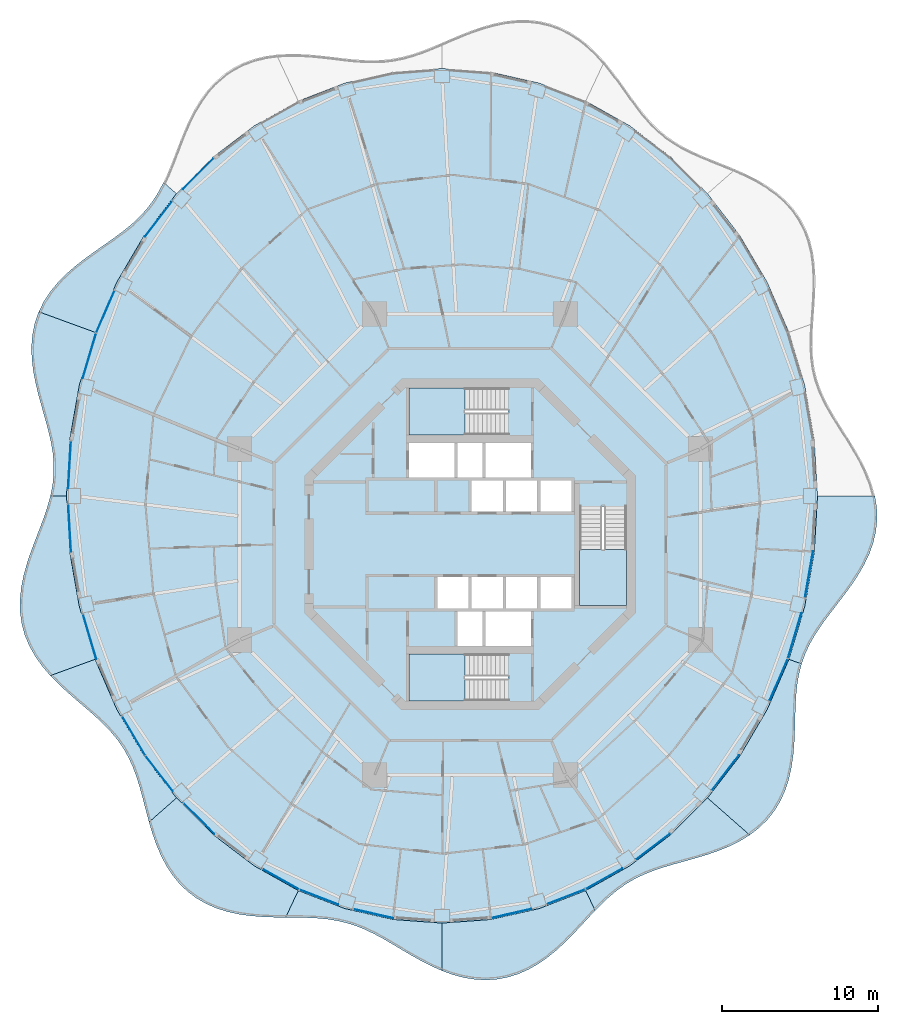
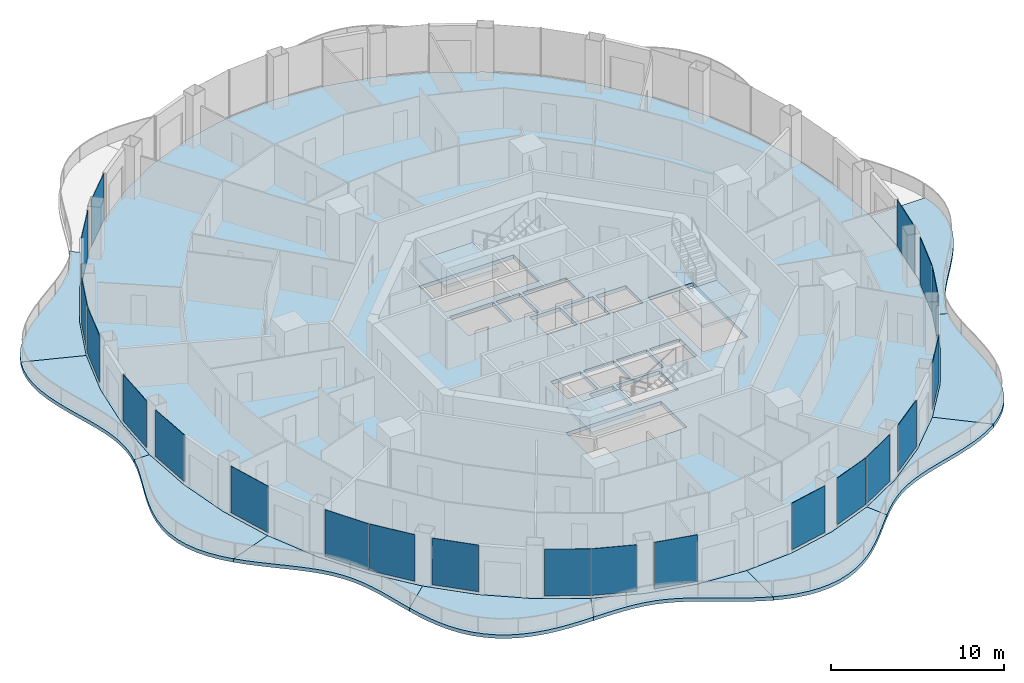
# One storey, part 8 of 18: 21 plates, 14 slabs, 24 elements without a shape of their own.
"""IFC4 building model written with IfcOpenShell, lengths in metres."""

from ifc_helpers import new_model, si_unit, direction, frame, origin, origin_2d, place, context, subcontext, project, spatial, polyline, rectangle, outline, extrude, material, layer, layer_set, type_object, element, aggregate, save


model = new_model("IFC4")

# Units and contexts
model_context = context("Model", 3, precision=1e-05, world=origin(), true_north=direction((0.0, 1.0)))
body_context = subcontext(model_context, "Body", "Model", "MODEL_VIEW")
ifc_project = project(units=[si_unit("LENGTHUNIT", "METRE"), si_unit("AREAUNIT", "SQUARE_METRE"), si_unit("VOLUMEUNIT", "CUBIC_METRE"), si_unit("PLANEANGLEUNIT", "RADIAN"), si_unit("MASSUNIT", "GRAM", prefix="KILO")], contexts=[model_context])

# Site, building, storey
site_placement = place(None, origin())
site = spatial("IfcSite", under=ifc_project, at=site_placement, CompositionType="ELEMENT")
building_placement = place(site_placement, origin())
building = spatial("IfcBuilding", under=site, at=building_placement, Name="Nagisa Residences", CompositionType="ELEMENT")
storey_placement = place(building_placement, frame((0.0, 0.0, 219.60009765625)))
storey = spatial("IfcBuildingStorey", under=building, at=storey_placement, Name="L55", CompositionType="ELEMENT", Elevation=219.60009765625)

# Slabs
ifc_material_1 = material(Name="Concrete C40/50", Category="concrete")
ifc_layer_1 = layer(ifc_material_1, 0.25)
ifc_layer_set_1 = layer_set([ifc_layer_1], Name="BALCONY SLAB 250")
slab_type_1 = type_object("IfcSlabType", Name="BALCONY SLAB 250", PredefinedType="FLOOR", material=ifc_layer_set_1)
slab_1_placement = place(storey_placement, frame((0.0, 0.0, -0.25)))
element("IfcSlab", 1, at=slab_1_placement, inside=storey, type_object=slab_type_1, Name="slab:L55:bal06", PredefinedType="FLOOR", context=body_context, shape_type="SweptSolid", body=[
    extrude(outline(polyline([(-19.64697265625, 23.2119140625), (-19.967529296875, 22.600341796875), (-20.32666015625, 22.02880859375), (-20.73095703125, 21.495849609375), (-21.18359375, 20.998291015625), (-21.68505859375, 20.52978515625), (-22.23193359375, 20.08251953125), (-22.8173828125, 19.647216796875), (-23.43115234375, 19.21435546875), (-24.060791015625, 18.774169921875), (-24.69189453125, 18.317626953125), (-25.308349609375, 17.836669921875), (-25.89404296875, 17.324951171875), (-26.433837890625, 16.7783203125), (-26.913330078125, 16.19384765625), (-27.32080078125, 15.571533203125), (-27.6474609375, 14.913330078125), (-24.037841796875, 13.599365234375), (-22.645263671875, 16.812744140625), (-20.89599609375, 19.791748046875), (-18.820068359375, 22.4853515625), (-19.64697265625, 23.2119140625)])), origin(), (0.0, 0.0, 1.0), 0.25),
])
slab_2_placement = place(storey_placement, frame((0.0, 0.0, -0.25)))
element("IfcSlab", 2, at=slab_2_placement, inside=storey, type_object=slab_type_1, Name="slab:L55:bal07", PredefinedType="FLOOR", context=body_context, shape_type="SweptSolid", body=[
    extrude(outline(polyline([(-27.6474609375, 14.913330078125), (-27.894287109375, 14.2001953125), (-28.0478515625, 13.457763671875), (-28.11083984375, 12.693359375), (-28.090576171875, 11.9140625), (-27.998291015625, 11.127685546875), (-27.848388671875, 10.34130859375), (-27.658203125, 9.5615234375), (-27.446044921875, 8.792724609375), (-27.2314453125, 8.038818359375), (-27.03271484375, 7.30126953125), (-26.86669921875, 6.580078125), (-26.748046875, 5.87353515625), (-26.687255859375, 5.178466796875), (-26.69091796875, 4.490478515625), (-26.76123046875, 3.805419921875), (-26.8955078125, 3.11767578125), (-25.8701171875, 3.11767578125), (-25.6640625, 6.69287109375), (-25.0498046875, 10.206787109375), (-24.037841796875, 13.599365234375), (-27.6474609375, 14.913330078125)])), origin(), (0.0, 0.0, 1.0), 0.25),
])
slab_3_placement = place(storey_placement, frame((0.0, 0.0, -0.25)))
element("IfcSlab", 3, at=slab_3_placement, inside=storey, type_object=slab_type_1, Name="slab:L55:bal08", PredefinedType="FLOOR", context=body_context, shape_type="SweptSolid", body=[
    extrude(outline(polyline([(-26.8955078125, 3.11767578125), (-27.087158203125, 2.423095703125), (-27.324462890625, 1.717529296875), (-27.593505859375, 0.99853515625), (-27.87646484375, 0.2646484375), (-28.155029296875, -0.483642578125), (-28.409423828125, -1.24462890625), (-28.62109375, -2.014404296875), (-28.772705078125, -2.788330078125), (-28.849609375, -3.560302734375), (-28.841064453125, -4.32373046875), (-28.73974609375, -5.072021484375), (-28.543212890625, -5.799072265625), (-28.253173828125, -6.4990234375), (-27.8759765625, -7.16845703125), (-27.422119140625, -7.8046875), (-26.9052734375, -8.40771484375), (-24.037841796875, -7.364013671875), (-25.0498046875, -3.971435546875), (-25.6640625, -0.45751953125), (-25.8701171875, 3.11767578125), (-26.8955078125, 3.11767578125)])), origin(), (0.0, 0.0, 1.0), 0.25),
])
slab_4_placement = place(storey_placement, frame((0.0, 0.0, -0.25)))
element("IfcSlab", 4, at=slab_4_placement, inside=storey, type_object=slab_type_1, Name="slab:L55:bal09", PredefinedType="FLOOR", context=body_context, shape_type="SweptSolid", body=[
    extrude(outline(polyline([(-26.9052734375, -8.40771484375), (-26.359619140625, -8.96240234375), (-25.785888671875, -9.490966796875), (-25.201171875, -9.999267578125), (-24.62158203125, -10.494140625), (-24.061767578125, -10.9833984375), (-23.53466796875, -11.475341796875), (-23.05029296875, -11.97900390625), (-22.615234375, -12.502197265625), (-22.23291015625, -13.0517578125), (-21.90234375, -13.633056640625), (-21.619384765625, -14.24951171875), (-21.376953125, -14.90185546875), (-21.164306640625, -15.58837890625), (-20.969482421875, -16.304443359375), (-20.77880859375, -17.042724609375), (-20.57763671875, -17.79443359375), (-18.820068359375, -16.25), (-20.89599609375, -13.556396484375), (-22.645263671875, -10.577392578125), (-24.037841796875, -7.364013671875), (-26.9052734375, -8.40771484375)])), origin(), (0.0, 0.0, 1.0), 0.25),
])
slab_5_placement = place(storey_placement, frame((0.0, 0.0, -0.25)))
element("IfcSlab", 5, at=slab_5_placement, inside=storey, type_object=slab_type_1, Name="slab:L55:bal10", PredefinedType="FLOOR", context=body_context, shape_type="SweptSolid", body=[
    extrude(outline(polyline([(-20.57763671875, -17.79443359375), (-20.36328125, -18.5126953125), (-20.115966796875, -19.221435546875), (-19.82568359375, -19.909423828125), (-19.485107421875, -20.56494140625), (-19.08837890625, -21.17724609375), (-18.6328125, -21.736572265625), (-18.11865234375, -22.234619140625), (-17.5478515625, -22.666015625), (-16.925537109375, -23.027099609375), (-16.25830078125, -23.317626953125), (-15.554443359375, -23.540283203125), (-14.82373046875, -23.700439453125), (-14.07568359375, -23.80615234375), (-13.3203125, -23.867431640625), (-12.56640625, -23.89697265625), (-11.822021484375, -23.90771484375), (-11.01123046875, -22.187255859375), (-13.8349609375, -20.602783203125), (-16.452880859375, -18.6123046875), (-18.820068359375, -16.25), (-20.57763671875, -17.79443359375)])), origin(), (0.0, 0.0, 1.0), 0.25),
])
slab_6_placement = place(storey_placement, frame((0.0, 0.0, -0.25)))
element("IfcSlab", 6, at=slab_6_placement, inside=storey, type_object=slab_type_1, Name="slab:L55:bal11", PredefinedType="FLOOR", context=body_context, shape_type="SweptSolid", body=[
    extrude(outline(polyline([(-11.822021484375, -23.90771484375), (-11.11962890625, -23.91357421875), (-10.43603515625, -23.927001953125), (-9.7734375, -23.95947265625), (-9.132080078125, -24.021240234375), (-8.51123046875, -24.1201171875), (-7.907470703125, -24.26171875), (-7.317138671875, -24.44921875), (-6.735107421875, -24.682373046875), (-6.156005859375, -24.958251953125), (-5.57421875, -25.271240234375), (-4.984619140625, -25.613037109375), (-4.38232421875, -25.972412109375), (-3.76416015625, -26.33740234375), (-3.127685546875, -26.694091796875), (-2.472900390625, -27.028564453125), (-1.800048828125, -27.326416015625), (-1.800048828125, -24.272216796875), (-4.941650390625, -24.0380859375), (-8.02978515625, -23.339111328125), (-11.01123046875, -22.187255859375), (-11.822021484375, -23.90771484375)])), origin(), (0.0, 0.0, 1.0), 0.25),
])
slab_7_placement = place(storey_placement, frame((0.0, 0.0, -0.25)))
element("IfcSlab", 7, at=slab_7_placement, inside=storey, type_object=slab_type_1, Name="slab:L55:bal12", PredefinedType="FLOOR", context=body_context, shape_type="SweptSolid", body=[
    extrude(outline(polyline([(-1.800048828125, -27.326416015625), (-1.11181640625, -27.5751953125), (-0.412109375, -27.762451171875), (0.29443359375, -27.879150390625), (1.001708984375, -27.91796875), (1.7041015625, -27.87451171875), (2.39501953125, -27.74755859375), (3.06884765625, -27.5390625), (3.720458984375, -27.254150390625), (4.346435546875, -26.899658203125), (4.9443359375, -26.486083984375), (5.51318359375, -26.024658203125), (6.05419921875, -25.52880859375), (6.56982421875, -25.011962890625), (7.064453125, -24.4873046875), (7.543701171875, -23.96826171875), (8.013916015625, -23.46630859375), (7.4111328125, -22.187255859375), (4.4296875, -23.339111328125), (1.341796875, -24.0380859375), (-1.800048828125, -24.272216796875), (-1.800048828125, -27.326416015625)])), origin(), (0.0, 0.0, 1.0), 0.25),
])
slab_8_placement = place(storey_placement, frame((0.0, 0.0, -0.25)))
element("IfcSlab", 8, at=slab_8_placement, inside=storey, type_object=slab_type_1, Name="slab:L55:bal13", PredefinedType="FLOOR", context=body_context, shape_type="SweptSolid", body=[
    extrude(outline(polyline([(8.013916015625, -23.46630859375), (8.5, -22.973876953125), (8.99267578125, -22.51904296875), (9.499267578125, -22.107421875), (10.02734375, -21.741455078125), (10.581787109375, -21.4208984375), (11.166748046875, -21.141845703125), (11.78369140625, -20.8984375), (12.431640625, -20.68212890625), (13.107421875, -20.482666015625), (13.805419921875, -20.288818359375), (14.517578125, -20.0888671875), (15.234375, -19.870849609375), (15.945068359375, -19.624267578125), (16.637939453125, -19.33935546875), (17.30126953125, -19.008544921875), (17.923828125, -18.6259765625), (15.219970703125, -16.25), (12.852783203125, -18.6123046875), (10.235107421875, -20.602783203125), (7.4111328125, -22.187255859375), (8.013916015625, -23.46630859375)])), origin(), (0.0, 0.0, 1.0), 0.25),
])
slab_9_placement = place(storey_placement, frame((0.0, 0.0, -0.25)))
element("IfcSlab", 9, at=slab_9_placement, inside=storey, type_object=slab_type_1, Name="slab:L55:bal14", PredefinedType="FLOOR", context=body_context, shape_type="SweptSolid", body=[
    extrude(outline(polyline([(17.923828125, -18.6259765625), (18.521728515625, -18.165283203125), (19.05419921875, -17.643310546875), (19.513671875, -17.06201171875), (19.89697265625, -16.425537109375), (20.203125, -15.7412109375), (20.43603515625, -15.017822265625), (20.60205078125, -14.264892578125), (20.711181640625, -13.4931640625), (20.775634765625, -12.713134765625), (20.810546875, -11.9345703125), (20.8310546875, -11.16650390625), (20.853515625, -10.41552734375), (20.893310546875, -9.687255859375), (20.96435546875, -8.984375), (21.07861328125, -8.308349609375), (21.24462890625, -7.65771484375), (20.437744140625, -7.364013671875), (19.045166015625, -10.577392578125), (17.2958984375, -13.556396484375), (15.219970703125, -16.25), (17.923828125, -18.6259765625)])), origin(), (0.0, 0.0, 1.0), 0.25),
])
slab_10_placement = place(storey_placement, frame((0.0, 0.0, -0.25)))
element("IfcSlab", 10, at=slab_10_placement, inside=storey, type_object=slab_type_1, Name="slab:L55:bal15", PredefinedType="FLOOR", context=body_context, shape_type="SweptSolid", body=[
    extrude(outline(polyline([(21.24462890625, -7.65771484375), (21.475830078125, -7.010009765625), (21.76953125, -6.38134765625), (22.123046875, -5.76611328125), (22.52880859375, -5.156982421875), (22.975830078125, -4.54736328125), (23.44970703125, -3.930908203125), (23.932861328125, -3.301513671875), (24.4072265625, -2.655029296875), (24.853271484375, -1.989013671875), (25.25244140625, -1.302001953125), (25.587646484375, -0.594970703125), (25.84521484375, 0.129638671875), (26.013916015625, 0.868408203125), (26.08740234375, 1.6162109375), (26.0634765625, 2.367919921875), (25.9443359375, 3.11767578125), (22.27001953125, 3.11767578125), (22.06396484375, -0.45751953125), (21.449951171875, -3.971435546875), (20.437744140625, -7.364013671875), (21.24462890625, -7.65771484375)])), origin(), (0.0, 0.0, 1.0), 0.25),
])

# Curtain wall, plate
ifc_material_2 = material(Name="Concrete-coloured aluminium curtain wall system", Category="concrete")
ifc_layer_2 = layer(ifc_material_2, 0.159912109375)
ifc_layer_set_2 = layer_set([ifc_layer_2], Name="CW1 CURTAIN WALL")
curtain_wall_type = type_object("IfcCurtainWallType", Name="CW1 CURTAIN WALL", PredefinedType="NOTDEFINED", material=ifc_layer_set_2)
curtain_wall_1_placement = place(storey_placement, origin())
curtain_wall_1 = element("IfcCurtainWall", 11, at=curtain_wall_1_placement, inside=storey, type_object=curtain_wall_type, Name="cw:CW1:L55:17", PredefinedType="NOTDEFINED")
ifc_material_3 = material(Name="Clear laminated glass", Category="glass")
ifc_layer_3 = layer(ifc_material_3, 0.028076171875)
ifc_layer_set_3 = layer_set([ifc_layer_3], Name="CW1 GLASS PANEL")
plate_type = type_object("IfcPlateType", Name="CW1 GLASS PANEL", PredefinedType="CURTAIN_PANEL", material=ifc_layer_set_3)
plate_1_placement = place(storey_placement, frame((-17.42431640625, 23.765380859375, 0.14990234375), z_axis=(0.0, 0.0, 1.0), x_axis=(-0.707835924016, -0.706376885714, 0.0)))
plate_1 = element("IfcPlate", 12, at=plate_1_placement, type_object=plate_type, Name="CW1 panel", PredefinedType="CURTAIN_PANEL", context=body_context, shape_type="SweptSolid", body=[
    extrude(rectangle(XDim=2.7841796875, YDim=0.028076171875, at=origin_2d()), origin(), (0.0, 0.0, 1.0), 3.2900390625),
])
aggregate(curtain_wall_1, [plate_1])

curtain_wall_2_placement = place(storey_placement, origin())
curtain_wall_2 = element("IfcCurtainWall", 13, at=curtain_wall_2_placement, inside=storey, type_object=curtain_wall_type, Name="cw:CW1:L55:18", PredefinedType="NOTDEFINED")
plate_2_placement = place(storey_placement, frame((-19.965576171875, 20.867919921875, 0.14990234375), z_axis=(0.0, 0.0, 1.0), x_axis=(-0.610429828235, -0.792070340816, 0.0)))
plate_2 = element("IfcPlate", 14, at=plate_2_placement, type_object=plate_type, Name="CW1 panel", PredefinedType="CURTAIN_PANEL", context=body_context, shape_type="SweptSolid", body=[
    extrude(rectangle(XDim=2.8408203125, YDim=0.028076171875, at=origin_2d()), origin(), (0.0, 0.0, 1.0), 3.2900390625),
])
aggregate(curtain_wall_2, [plate_2])

curtain_wall_3_placement = place(storey_placement, origin())
curtain_wall_3 = element("IfcCurtainWall", 15, at=curtain_wall_3_placement, inside=storey, type_object=curtain_wall_type, Name="cw:CW1:L55:20", PredefinedType="NOTDEFINED")
plate_3_placement = place(storey_placement, frame((-23.37939453125, 14.917236328125, 0.14990234375), z_axis=(0.0, 0.0, 1.0), x_axis=(-0.397635934147, -0.917543276295, 0.0)))
plate_3 = element("IfcPlate", 16, at=plate_3_placement, type_object=plate_type, Name="CW1 panel", PredefinedType="CURTAIN_PANEL", context=body_context, shape_type="SweptSolid", body=[
    extrude(rectangle(XDim=2.942138671875, YDim=0.028076171875, at=origin_2d()), origin(), (0.0, 0.0, 1.0), 3.2900390625),
])
aggregate(curtain_wall_3, [plate_3])

curtain_wall_4_placement = place(storey_placement, origin())
curtain_wall_4 = element("IfcCurtainWall", 17, at=curtain_wall_4_placement, inside=storey, type_object=curtain_wall_type, Name="cw:CW1:L55:21", PredefinedType="NOTDEFINED")
plate_4_placement = place(storey_placement, frame((-24.404296875, 12.091064453125, 0.14990234375), z_axis=(0.0, 0.0, 1.0), x_axis=(-0.285860274038, -0.958271310082, 0.0)))
plate_4 = element("IfcPlate", 18, at=plate_4_placement, type_object=plate_type, Name="CW1 panel", PredefinedType="CURTAIN_PANEL", context=body_context, shape_type="SweptSolid", body=[
    extrude(rectangle(XDim=2.98046875, YDim=0.028076171875, at=origin_2d()), origin(), (0.0, 0.0, 1.0), 3.2900390625),
])
aggregate(curtain_wall_4, [plate_4])

curtain_wall_5_placement = place(storey_placement, origin())
curtain_wall_5 = element("IfcCurtainWall", 19, at=curtain_wall_5_placement, inside=storey, type_object=curtain_wall_type, Name="cw:CW1:L55:23", PredefinedType="NOTDEFINED")
plate_5_placement = place(storey_placement, frame((-25.674560546875, 5.120361328125, 0.14990234375), z_axis=(0.0, 0.0, 1.0), x_axis=(-0.057503492216, -0.998345305184, 0.0)))
plate_5 = element("IfcPlate", 20, at=plate_5_placement, type_object=plate_type, Name="CW1 panel", PredefinedType="CURTAIN_PANEL", context=body_context, shape_type="SweptSolid", body=[
    extrude(rectangle(XDim=3.02099609375, YDim=0.028076171875, at=origin_2d()), origin(), (0.0, 0.0, 1.0), 3.2900390625),
])
aggregate(curtain_wall_5, [plate_5])

curtain_wall_6_placement = place(storey_placement, origin())
curtain_wall_6 = element("IfcCurtainWall", 21, at=curtain_wall_6_placement, inside=storey, type_object=curtain_wall_type, Name="cw:CW1:L55:24", PredefinedType="NOTDEFINED")
plate_6_placement = place(storey_placement, frame((-25.671142578125, 1.05517578125, 0.14990234375), z_axis=(0.0, 0.0, 1.0), x_axis=(0.057503492216, -0.998345305184, 0.0)))
plate_6 = element("IfcPlate", 22, at=plate_6_placement, type_object=plate_type, Name="CW1 panel", PredefinedType="CURTAIN_PANEL", context=body_context, shape_type="SweptSolid", body=[
    extrude(rectangle(XDim=3.02099609375, YDim=0.028076171875, at=origin_2d()), origin(), (0.0, 0.0, 1.0), 3.2900390625),
])
aggregate(curtain_wall_6, [plate_6])

curtain_wall_7_placement = place(storey_placement, origin())
curtain_wall_7 = element("IfcCurtainWall", 23, at=curtain_wall_7_placement, inside=storey, type_object=curtain_wall_type, Name="cw:CW1:L55:26", PredefinedType="NOTDEFINED")
plate_7_placement = place(storey_placement, frame((-24.38720703125, -5.9130859375, 0.14990234375), z_axis=(0.0, 0.0, 1.0), x_axis=(0.285860274038, -0.958271310082, 0.0)))
plate_7 = element("IfcPlate", 24, at=plate_7_placement, type_object=plate_type, Name="CW1 panel", PredefinedType="CURTAIN_PANEL", context=body_context, shape_type="SweptSolid", body=[
    extrude(rectangle(XDim=2.98046875, YDim=0.028076171875, at=origin_2d()), origin(), (0.0, 0.0, 1.0), 3.2900390625),
])
aggregate(curtain_wall_7, [plate_7])

curtain_wall_8_placement = place(storey_placement, origin())
curtain_wall_8 = element("IfcCurtainWall", 25, at=curtain_wall_8_placement, inside=storey, type_object=curtain_wall_type, Name="cw:CW1:L55:28", PredefinedType="NOTDEFINED")
plate_8_placement = place(storey_placement, frame((-21.559814453125, -12.267822265625, 0.14990234375), z_axis=(0.0, 0.0, 1.0), x_axis=(0.506348567002, -0.862328898214, 0.0)))
plate_8 = element("IfcPlate", 26, at=plate_8_placement, type_object=plate_type, Name="CW1 panel", PredefinedType="CURTAIN_PANEL", context=body_context, shape_type="SweptSolid", body=[
    extrude(rectangle(XDim=2.89453125, YDim=0.028076171875, at=origin_2d()), origin(), (0.0, 0.0, 1.0), 3.2900390625),
])
aggregate(curtain_wall_8, [plate_8])

curtain_wall_9_placement = place(storey_placement, origin())
curtain_wall_9 = element("IfcCurtainWall", 27, at=curtain_wall_9_placement, inside=storey, type_object=curtain_wall_type, Name="cw:CW1:L55:29", PredefinedType="NOTDEFINED")
plate_9_placement = place(storey_placement, frame((-19.928955078125, -14.679931640625, 0.14990234375), z_axis=(0.0, 0.0, 1.0), x_axis=(0.610429828235, -0.792070340816, 0.0)))
plate_9 = element("IfcPlate", 28, at=plate_9_placement, type_object=plate_type, Name="CW1 panel", PredefinedType="CURTAIN_PANEL", context=body_context, shape_type="SweptSolid", body=[
    extrude(rectangle(XDim=2.8408203125, YDim=0.028076171875, at=origin_2d()), origin(), (0.0, 0.0, 1.0), 3.2900390625),
])
aggregate(curtain_wall_9, [plate_9])

curtain_wall_10_placement = place(storey_placement, origin())
curtain_wall_10 = element("IfcCurtainWall", 29, at=curtain_wall_10_placement, inside=storey, type_object=curtain_wall_type, Name="cw:CW1:L55:30", PredefinedType="NOTDEFINED")
plate_10_placement = place(storey_placement, frame((-17.3818359375, -17.572265625, 0.14990234375), z_axis=(0.0, 0.0, 1.0), x_axis=(0.707835924016, -0.706376885714, 0.0)))
plate_10 = element("IfcPlate", 30, at=plate_10_placement, type_object=plate_type, Name="CW1 panel", PredefinedType="CURTAIN_PANEL", context=body_context, shape_type="SweptSolid", body=[
    extrude(rectangle(XDim=2.7841796875, YDim=0.028076171875, at=origin_2d()), origin(), (0.0, 0.0, 1.0), 3.2900390625),
])
aggregate(curtain_wall_10, [plate_10])

curtain_wall_11_placement = place(storey_placement, origin())
curtain_wall_11 = element("IfcCurtainWall", 31, at=curtain_wall_11_placement, inside=storey, type_object=curtain_wall_type, Name="cw:CW1:L55:32", PredefinedType="NOTDEFINED")
plate_11_placement = place(storey_placement, frame((-12.1396484375, -21.46240234375, 0.14990234375), z_axis=(0.0, 0.0, 1.0), x_axis=(0.872072377523, -0.489376918501, 0.0)))
plate_11 = element("IfcPlate", 32, at=plate_11_placement, type_object=plate_type, Name="CW1 panel", PredefinedType="CURTAIN_PANEL", context=body_context, shape_type="SweptSolid", body=[
    extrude(rectangle(XDim=2.677978515625, YDim=0.028076171875, at=origin_2d()), origin(), (0.0, 0.0, 1.0), 3.2900390625),
])
aggregate(curtain_wall_11, [plate_11])

curtain_wall_12_placement = place(storey_placement, origin())
curtain_wall_12 = element("IfcCurtainWall", 33, at=curtain_wall_12_placement, inside=storey, type_object=curtain_wall_type, Name="cw:CW1:L55:33", PredefinedType="NOTDEFINED")
plate_12_placement = place(storey_placement, frame((-9.69677734375, -22.609375, 0.14990234375), z_axis=(0.0, 0.0, 1.0), x_axis=(0.932825759707, -0.360327770268, 0.0)))
plate_12 = element("IfcPlate", 34, at=plate_12_placement, type_object=plate_type, Name="CW1 panel", PredefinedType="CURTAIN_PANEL", context=body_context, shape_type="SweptSolid", body=[
    extrude(rectangle(XDim=2.63623046875, YDim=0.028076171875, at=origin_2d()), origin(), (0.0, 0.0, 1.0), 3.2900390625),
])
aggregate(curtain_wall_12, [plate_12])

curtain_wall_13_placement = place(storey_placement, origin())
curtain_wall_13 = element("IfcCurtainWall", 35, at=curtain_wall_13_placement, inside=storey, type_object=curtain_wall_type, Name="cw:CW1:L55:34", PredefinedType="NOTDEFINED")
plate_13_placement = place(storey_placement, frame((-6.195068359375, -23.67236328125, 0.14990234375), z_axis=(0.0, 0.0, 1.0), x_axis=(0.975327274089, -0.2207639201, 0.0)))
plate_13 = element("IfcPlate", 36, at=plate_13_placement, type_object=plate_type, Name="CW1 panel", PredefinedType="CURTAIN_PANEL", context=body_context, shape_type="SweptSolid", body=[
    extrude(rectangle(XDim=2.606201171875, YDim=0.028076171875, at=origin_2d()), origin(), (0.0, 0.0, 1.0), 3.2900390625),
])
aggregate(curtain_wall_13, [plate_13])

curtain_wall_14_placement = place(storey_placement, origin())
curtain_wall_14 = element("IfcCurtainWall", 37, at=curtain_wall_14_placement, inside=storey, type_object=curtain_wall_type, Name="cw:CW1:L55:37", PredefinedType="NOTDEFINED")
plate_14_placement = place(storey_placement, frame((2.653564453125, -23.658935546875, 0.14990234375), z_axis=(0.0, 0.0, 1.0), x_axis=(0.975327274089, 0.2207639201, 0.0)))
plate_14 = element("IfcPlate", 38, at=plate_14_placement, type_object=plate_type, Name="CW1 panel", PredefinedType="CURTAIN_PANEL", context=body_context, shape_type="SweptSolid", body=[
    extrude(rectangle(XDim=2.606201171875, YDim=0.028076171875, at=origin_2d()), origin(), (0.0, 0.0, 1.0), 3.2900390625),
])
aggregate(curtain_wall_14, [plate_14])

curtain_wall_15_placement = place(storey_placement, origin())
curtain_wall_15 = element("IfcCurtainWall", 39, at=curtain_wall_15_placement, inside=storey, type_object=curtain_wall_type, Name="cw:CW1:L55:38", PredefinedType="NOTDEFINED")
plate_15_placement = place(storey_placement, frame((6.15283203125, -22.587646484375, 0.14990234375), z_axis=(0.0, 0.0, 1.0), x_axis=(0.932825759707, 0.360327770268, 0.0)))
plate_15 = element("IfcPlate", 40, at=plate_15_placement, type_object=plate_type, Name="CW1 panel", PredefinedType="CURTAIN_PANEL", context=body_context, shape_type="SweptSolid", body=[
    extrude(rectangle(XDim=2.63623046875, YDim=0.028076171875, at=origin_2d()), origin(), (0.0, 0.0, 1.0), 3.2900390625),
])
aggregate(curtain_wall_15, [plate_15])

curtain_wall_16_placement = place(storey_placement, origin())
curtain_wall_16 = element("IfcCurtainWall", 41, at=curtain_wall_16_placement, inside=storey, type_object=curtain_wall_type, Name="cw:CW1:L55:39", PredefinedType="NOTDEFINED")
plate_16_placement = place(storey_placement, frame((8.592041015625, -21.432861328125, 0.14990234375), z_axis=(0.0, 0.0, 1.0), x_axis=(0.872072377523, 0.489376918501, 0.0)))
plate_16 = element("IfcPlate", 42, at=plate_16_placement, type_object=plate_type, Name="CW1 panel", PredefinedType="CURTAIN_PANEL", context=body_context, shape_type="SweptSolid", body=[
    extrude(rectangle(XDim=2.677978515625, YDim=0.028076171875, at=origin_2d()), origin(), (0.0, 0.0, 1.0), 3.2900390625),
])
aggregate(curtain_wall_16, [plate_16])

curtain_wall_17_placement = place(storey_placement, origin())
curtain_wall_17 = element("IfcCurtainWall", 43, at=curtain_wall_17_placement, inside=storey, type_object=curtain_wall_type, Name="cw:CW1:L55:40", PredefinedType="NOTDEFINED")
plate_17_placement = place(storey_placement, frame((11.718505859375, -19.374267578125, 0.14990234375), z_axis=(0.0, 0.0, 1.0), x_axis=(0.79603132756, 0.605255421737, 0.0)))
plate_17 = element("IfcPlate", 44, at=plate_17_placement, type_object=plate_type, Name="CW1 panel", PredefinedType="CURTAIN_PANEL", context=body_context, shape_type="SweptSolid", body=[
    extrude(rectangle(XDim=2.728759765625, YDim=0.028076171875, at=origin_2d()), origin(), (0.0, 0.0, 1.0), 3.2900390625),
])
aggregate(curtain_wall_17, [plate_17])

curtain_wall_18_placement = place(storey_placement, origin())
curtain_wall_18 = element("IfcCurtainWall", 45, at=curtain_wall_18_placement, inside=storey, type_object=curtain_wall_type, Name="cw:CW1:L55:42", PredefinedType="NOTDEFINED")
plate_18_placement = place(storey_placement, frame((16.365478515625, -14.632568359375, 0.14990234375), z_axis=(0.0, 0.0, 1.0), x_axis=(0.610429828235, 0.792070340816, 0.0)))
plate_18 = element("IfcPlate", 46, at=plate_18_placement, type_object=plate_type, Name="CW1 panel", PredefinedType="CURTAIN_PANEL", context=body_context, shape_type="SweptSolid", body=[
    extrude(rectangle(XDim=2.8408203125, YDim=0.028076171875, at=origin_2d()), origin(), (0.0, 0.0, 1.0), 3.2900390625),
])
aggregate(curtain_wall_18, [plate_18])

curtain_wall_19_placement = place(storey_placement, origin())
curtain_wall_19 = element("IfcCurtainWall", 47, at=curtain_wall_19_placement, inside=storey, type_object=curtain_wall_type, Name="cw:CW1:L55:44", PredefinedType="NOTDEFINED")
plate_19_placement = place(storey_placement, frame((19.779541015625, -8.681884765625, 0.14990234375), z_axis=(0.0, 0.0, 1.0), x_axis=(0.397635934147, 0.917543276295, 0.0)))
plate_19 = element("IfcPlate", 48, at=plate_19_placement, type_object=plate_type, Name="CW1 panel", PredefinedType="CURTAIN_PANEL", context=body_context, shape_type="SweptSolid", body=[
    extrude(rectangle(XDim=2.942138671875, YDim=0.028076171875, at=origin_2d()), origin(), (0.0, 0.0, 1.0), 3.2900390625),
])
aggregate(curtain_wall_19, [plate_19])

curtain_wall_20_placement = place(storey_placement, origin())
curtain_wall_20 = element("IfcCurtainWall", 49, at=curtain_wall_20_placement, inside=storey, type_object=curtain_wall_type, Name="cw:CW1:L55:45", PredefinedType="NOTDEFINED")
plate_20_placement = place(storey_placement, frame((20.80419921875, -5.855712890625, 0.14990234375), z_axis=(0.0, 0.0, 1.0), x_axis=(0.285860274038, 0.958271310082, 0.0)))
plate_20 = element("IfcPlate", 50, at=plate_20_placement, type_object=plate_type, Name="CW1 panel", PredefinedType="CURTAIN_PANEL", context=body_context, shape_type="SweptSolid", body=[
    extrude(rectangle(XDim=2.98046875, YDim=0.028076171875, at=origin_2d()), origin(), (0.0, 0.0, 1.0), 3.2900390625),
])
aggregate(curtain_wall_20, [plate_20])

curtain_wall_21_placement = place(storey_placement, origin())
curtain_wall_21 = element("IfcCurtainWall", 51, at=curtain_wall_21_placement, inside=storey, type_object=curtain_wall_type, Name="cw:CW1:L55:46", PredefinedType="NOTDEFINED")
plate_21_placement = place(storey_placement, frame((21.726318359375, -1.9248046875, 0.14990234375), z_axis=(0.0, 0.0, 1.0), x_axis=(0.172190868898, 0.985063604377, 0.0)))
plate_21 = element("IfcPlate", 52, at=plate_21_placement, type_object=plate_type, Name="CW1 panel", PredefinedType="CURTAIN_PANEL", context=body_context, shape_type="SweptSolid", body=[
    extrude(rectangle(XDim=3.00732421875, YDim=0.028076171875, at=origin_2d()), origin(), (0.0, 0.0, 1.0), 3.2900390625),
])
aggregate(curtain_wall_21, [plate_21])

# Slab
ifc_material_4 = material(Name="Concrete C40", Category="concrete")
ifc_layer_4 = layer(ifc_material_4, 0.260009765625)
ifc_layer_set_4 = layer_set([ifc_layer_4], Name="Floor slab 260")
slab_type_2 = type_object("IfcSlabType", Name="Floor slab 260", PredefinedType="FLOOR", material=ifc_layer_set_4)
slab_11_placement = place(storey_placement, frame((0.0, 0.0, -0.260009765625)))
element("IfcSlab", 53, at=slab_11_placement, inside=storey, type_object=slab_type_2, Name="slab:L55:floor", PredefinedType="FLOOR", context=body_context, shape_type="SweptSolid", body=[
    extrude(outline(polyline([(22.27001953125, 3.11767578125), (22.06396484375, 6.69287109375), (21.449951171875, 10.206787109375), (20.437744140625, 13.599365234375), (19.045166015625, 16.812744140625), (17.2958984375, 19.791748046875), (15.219970703125, 22.4853515625), (12.852783203125, 24.84765625), (10.235107421875, 26.838134765625), (7.4111328125, 28.4228515625), (4.4296875, 29.574462890625), (1.341796875, 30.2734375), (-1.800048828125, 30.5078125), (-4.941650390625, 30.2734375), (-8.02978515625, 29.574462890625), (-11.01123046875, 28.4228515625), (-13.8349609375, 26.838134765625), (-16.452880859375, 24.84765625), (-18.820068359375, 22.4853515625), (-20.89599609375, 19.791748046875), (-22.645263671875, 16.812744140625), (-24.037841796875, 13.599365234375), (-25.0498046875, 10.206787109375), (-25.6640625, 6.69287109375), (-25.8701171875, 3.11767578125), (-25.6640625, -0.45751953125), (-25.0498046875, -3.971435546875), (-24.037841796875, -7.364013671875), (-22.645263671875, -10.577392578125), (-20.89599609375, -13.556396484375), (-18.820068359375, -16.25), (-16.452880859375, -18.6123046875), (-13.8349609375, -20.602783203125), (-11.01123046875, -22.187255859375), (-8.02978515625, -23.339111328125), (-4.941650390625, -24.0380859375), (-1.800048828125, -24.272216796875), (1.341796875, -24.0380859375), (4.4296875, -23.339111328125), (7.4111328125, -22.187255859375), (10.235107421875, -20.602783203125), (12.852783203125, -18.6123046875), (15.219970703125, -16.25), (17.2958984375, -13.556396484375), (19.045166015625, -10.577392578125), (20.437744140625, -7.364013671875), (21.449951171875, -3.971435546875), (22.06396484375, -0.45751953125), (22.27001953125, 3.11767578125)]), holes=[polyline([(2.10009765625, 2.10009765625), (2.10009765625, 4.10009765625), (0.10009765625, 4.10009765625), (0.10009765625, 2.10009765625), (2.10009765625, 2.10009765625)]), polyline([(4.300048828125, 2.10009765625), (4.300048828125, 4.10009765625), (2.300048828125, 4.10009765625), (2.300048828125, 2.10009765625), (4.300048828125, 2.10009765625)]), polyline([(6.5, 2.10009765625), (6.5, 4.10009765625), (4.5, 4.10009765625), (4.5, 2.10009765625), (6.5, 2.10009765625)]), polyline([(-0.10009765625, -4.10009765625), (-0.10009765625, -2.10009765625), (-2.10009765625, -2.10009765625), (-2.10009765625, -4.10009765625), (-0.10009765625, -4.10009765625)]), polyline([(2.10009765625, -4.10009765625), (2.10009765625, -2.10009765625), (0.10009765625, -2.10009765625), (0.10009765625, -4.10009765625), (2.10009765625, -4.10009765625)]), polyline([(4.300048828125, -4.10009765625), (4.300048828125, -2.10009765625), (2.300048828125, -2.10009765625), (2.300048828125, -4.10009765625), (4.300048828125, -4.10009765625)]), polyline([(6.5, -4.10009765625), (6.5, -2.10009765625), (4.5, -2.10009765625), (4.5, -4.10009765625), (6.5, -4.10009765625)]), polyline([(3.89990234375, 4.300048828125), (3.89990234375, 6.5), (1.0, 6.5), (1.0, 4.300048828125), (3.89990234375, 4.300048828125)]), polyline([(3.89990234375, -6.5), (3.89990234375, -4.300048828125), (1.0, -4.300048828125), (1.0, -6.5), (3.89990234375, -6.5)]), polyline([(-1.0, 4.300048828125), (-1.0, 6.5), (-3.89990234375, 6.5), (-3.89990234375, 4.300048828125), (-1.0, 4.300048828125)]), polyline([(0.800048828125, 4.300048828125), (0.800048828125, 6.5), (-0.800048828125, 6.5), (-0.800048828125, 4.300048828125), (0.800048828125, 4.300048828125)]), polyline([(0.800048828125, -6.5), (0.800048828125, -4.300048828125), (-0.800048828125, -4.300048828125), (-0.800048828125, -6.5), (0.800048828125, -6.5)]), polyline([(10.024658203125, -3.89990234375), (7.024658203125, -3.89990234375), (7.024658203125, 2.425048828125), (10.024658203125, 2.425048828125), (10.024658203125, -3.89990234375)]), polyline([(-3.89990234375, 7.024658203125), (-3.89990234375, 10.024658203125), (2.425048828125, 10.024658203125), (2.425048828125, 7.024658203125), (-3.89990234375, 7.024658203125)]), polyline([(-3.89990234375, -10.024658203125), (-3.89990234375, -7.024658203125), (2.425048828125, -7.024658203125), (2.425048828125, -10.024658203125), (-3.89990234375, -10.024658203125)])]), origin(), (0.0, 0.0, 1.0), 0.260009765625),
])

# Stair, slab
ifc_material_5 = material(Name="Concrete C60", Category="concrete")
stair_type = type_object("IfcStairType", Name="Exit stair", PredefinedType="HALF_TURN_STAIR", material=ifc_material_5)
stair_1_placement = place(storey_placement, origin())
stair_1 = element("IfcStair", 54, at=stair_1_placement, inside=storey, type_object=stair_type, Name="L55 Exit stair E", PredefinedType="HALF_TURN_STAIR")
ifc_material_6 = material(Name="Concrete C60", Category="concrete")
ifc_layer_5 = layer(ifc_material_6, 0.199951171875)
ifc_layer_set_5 = layer_set([ifc_layer_5], Name="Stair landing")
slab_type_3 = type_object("IfcSlabType", Name="Stair landing", PredefinedType="LANDING", material=ifc_layer_set_5)
slab_12_placement = place(storey_placement, frame((0.0, 0.0, 1.64990234375)))
slab_12 = element("IfcSlab", 55, at=slab_12_placement, type_object=slab_type_3, Name="ST-E landing 1", PredefinedType="LANDING", context=body_context, shape_type="SweptSolid", body=[
    extrude(outline(polyline([(7.024658203125, -0.324951171875), (7.024658203125, -3.89990234375), (10.024658203125, -3.89990234375), (10.024658203125, -0.324951171875), (7.024658203125, -0.324951171875)])), origin(), (0.0, 0.0, 1.0), 0.199951171875),
])
aggregate(stair_1, [slab_12])

stair_2_placement = place(storey_placement, origin())
stair_2 = element("IfcStair", 56, at=stair_2_placement, inside=storey, type_object=stair_type, Name="L55 Exit stair N", PredefinedType="HALF_TURN_STAIR")
slab_13_placement = place(storey_placement, frame((0.0, 0.0, 1.64990234375)))
slab_13 = element("IfcSlab", 57, at=slab_13_placement, type_object=slab_type_3, Name="ST-N landing 1", PredefinedType="LANDING", context=body_context, shape_type="SweptSolid", body=[
    extrude(outline(polyline([(-0.324951171875, 10.024658203125), (-3.89990234375, 10.024658203125), (-3.89990234375, 7.024658203125), (-0.324951171875, 7.024658203125), (-0.324951171875, 10.024658203125)])), origin(), (0.0, 0.0, 1.0), 0.199951171875),
])
aggregate(stair_2, [slab_13])

stair_3_placement = place(storey_placement, origin())
stair_3 = element("IfcStair", 58, at=stair_3_placement, inside=storey, type_object=stair_type, Name="L55 Exit stair S", PredefinedType="HALF_TURN_STAIR")
slab_14_placement = place(storey_placement, frame((0.0, 0.0, 1.64990234375)))
slab_14 = element("IfcSlab", 59, at=slab_14_placement, type_object=slab_type_3, Name="ST-S landing 1", PredefinedType="LANDING", context=body_context, shape_type="SweptSolid", body=[
    extrude(outline(polyline([(-0.324951171875, -7.024658203125), (-3.89990234375, -7.024658203125), (-3.89990234375, -10.024658203125), (-0.324951171875, -10.024658203125), (-0.324951171875, -7.024658203125)])), origin(), (0.0, 0.0, 1.0), 0.199951171875),
])
aggregate(stair_3, [slab_14])

save(model, "model.ifc")
